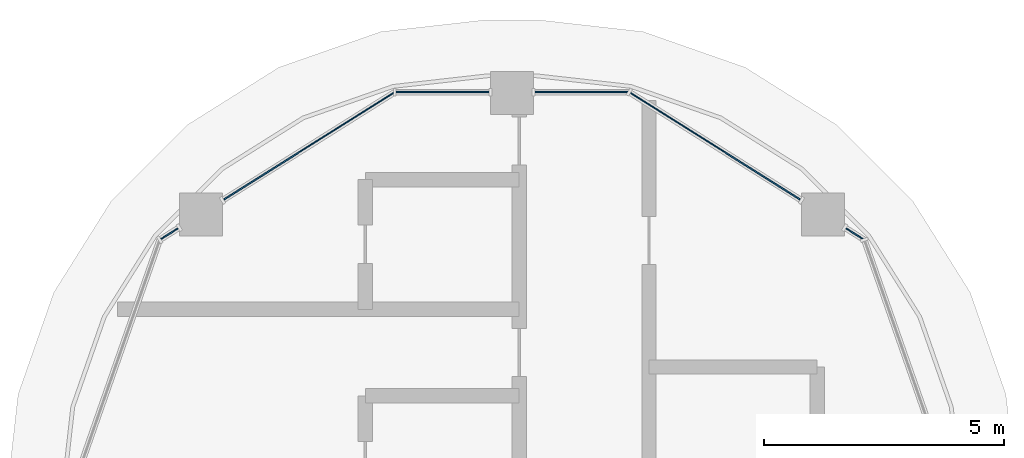
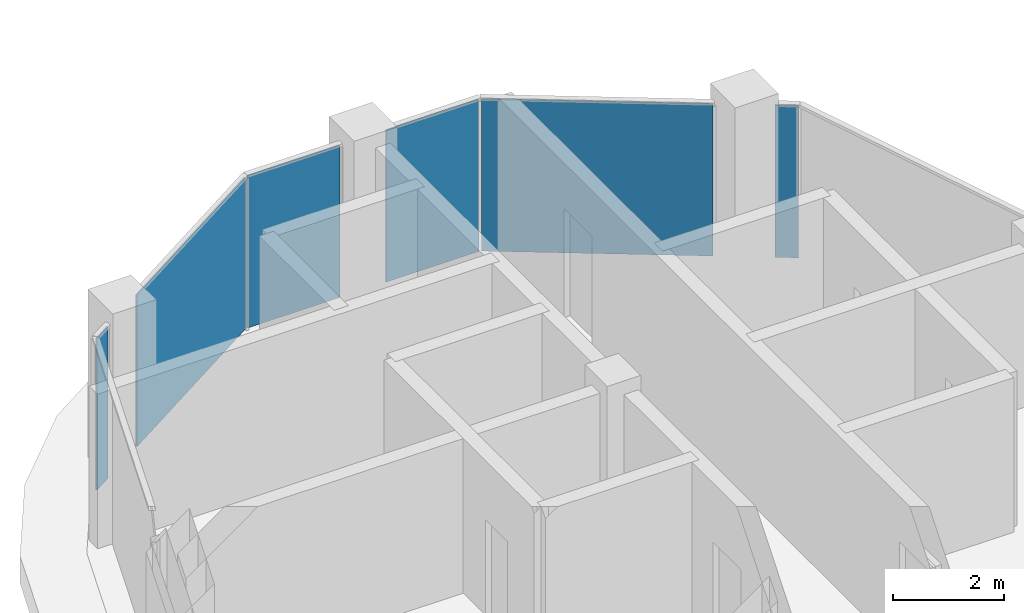
# One storey, part 9 of 20: 6 plates, 4 elements without a shape of their own.
"""IFC4 building model written with IfcOpenShell, lengths in metres."""

import ifcopenshell
import ifcopenshell.guid

model = None  # the IFC model being written
_history = None  # IfcOwnerHistory: only IFC2X3 demands one
_inside = {}  # id of a spatial element -> (the spatial element, [elements in it])
_under = {}  # id of a project, library or spatial element -> (it, [spatial elements below it])
_declared = {}  # id of a project -> (the project, [libraries it declares])
_typed = {}  # id of a type object -> (the type object, [elements of that type])
_made_of = {}  # id of a material, layer set ... -> (it, [elements and type objects made of it])


def new_model(schema):
    """Start an empty IFC model of exactly this schema.

    Asked for "IFC4X3", IfcOpenShell would pick the latest addendum, in which some entities
    have other attributes; the version numbers below select the first issue.
    IFC2X3 requires an IfcOwnerHistory on every rooted entity: one is made here for all.
    """
    global model, _history
    if schema == "IFC4X3":
        model = ifcopenshell.file(schema_version=(4, 3, 0, 0))
    else:
        model = ifcopenshell.file(schema=schema)
    _inside.clear()
    _under.clear()
    _declared.clear()
    _typed.clear()
    _made_of.clear()
    _history = None
    if model.schema == "IFC2X3":
        org = make("IfcOrganization", Name="unknown")
        user = make(
            "IfcPersonAndOrganization",
            ThePerson=make("IfcPerson", FamilyName="unknown"),
            TheOrganization=org,
        )
        app = make(
            "IfcApplication",
            ApplicationDeveloper=org,
            Version="unknown",
            ApplicationFullName="unknown",
            ApplicationIdentifier="unknown",
        )
        _history = make(
            "IfcOwnerHistory",
            OwningUser=user,
            OwningApplication=app,
            ChangeAction="ADDED",
            CreationDate=0,
        )
    return model


def make(cls, **values):
    """One entity of the class cls with the attributes given. An attribute that is None is left unset."""
    return model.create_entity(
        cls, **{name: value for name, value in values.items() if value is not None}
    )


def rooted(cls, **values):
    """An entity with a GlobalId (a new one), such as an element, a storey or a relation."""
    return make(cls, GlobalId=ifcopenshell.guid.new(), OwnerHistory=_history, **values)


def si_unit(unit_type, name, prefix=None):
    """IfcSIUnit, for example si_unit("LENGTHUNIT", "METRE", prefix="MILLI")."""
    return make("IfcSIUnit", UnitType=unit_type, Prefix=prefix, Name=name)


def assignment(units):
    """IfcUnitAssignment: the units of a project."""
    return None if units is None else make("IfcUnitAssignment", Units=units)


def point(xyz):
    """IfcCartesianPoint."""
    return None if xyz is None else make("IfcCartesianPoint", Coordinates=xyz)


def direction(xyz):
    """IfcDirection."""
    return None if xyz is None else make("IfcDirection", DirectionRatios=xyz)


def frame(location, z_axis=None, x_axis=None):
    """IfcAxis2Placement3D, a coordinate frame: its origin and axes. An axis left out is left unset."""
    return make(
        "IfcAxis2Placement3D",
        Location=point(location),
        Axis=direction(z_axis),
        RefDirection=direction(x_axis),
    )


def frame_2d(location, x_axis=None):
    """IfcAxis2Placement2D, a coordinate frame in the plane: its origin and x axis."""
    return make(
        "IfcAxis2Placement2D", Location=point(location), RefDirection=direction(x_axis)
    )


def origin():
    """The frame at (0, 0, 0) with its axes left unset."""
    return frame((0.0, 0.0, 0.0))


def origin_2d():
    """The frame at (0, 0) in the plane with its x axis left unset."""
    return frame_2d((0.0, 0.0))


def place(relative_to, where):
    """IfcLocalPlacement: puts the frame where relative to a parent placement (None: the world)."""
    return make(
        "IfcLocalPlacement", PlacementRelTo=relative_to, RelativePlacement=where
    )


def context(
    kind, dimensions, precision=None, world=None, true_north=None, identifier=None
):
    """IfcGeometricRepresentationContext, for example the 3D "Model" context."""
    return make(
        "IfcGeometricRepresentationContext",
        ContextIdentifier=identifier,
        ContextType=kind,
        CoordinateSpaceDimension=dimensions,
        Precision=precision,
        WorldCoordinateSystem=world,
        TrueNorth=true_north,
    )


def subcontext(parent, identifier, kind, view, scale=None):
    """IfcGeometricRepresentationSubContext, for example "Body" below "Model"."""
    return make(
        "IfcGeometricRepresentationSubContext",
        ContextIdentifier=identifier,
        ContextType=kind,
        ParentContext=parent,
        TargetScale=scale,
        TargetView=view,
    )


def project(units=None, contexts=None):
    """IfcProject with its units and contexts."""
    return rooted(
        "IfcProject",
        Name="project",
        RepresentationContexts=contexts,
        UnitsInContext=assignment(units),
    )


def spatial(cls, under=None, at=None, **own):
    """A site, building, storey or space (cls), placed at a placement, below another one or the project."""
    s = rooted(cls, ObjectPlacement=at, **own)
    if under is not None:
        _under.setdefault(under.id(), (under, []))[1].append(s)
    return s


def profile(cls, at=None, kind="AREA", **sizes):
    """A parametric profile (cls). Its sizes go by their IFC names, for example OverallWidth=200.0."""
    return make(cls, ProfileType=kind, Position=at, **sizes)


def rectangle(**sizes):
    """IfcRectangleProfileDef."""
    return profile("IfcRectangleProfileDef", **sizes)


def extrude(swept, where, along, depth):
    """IfcExtrudedAreaSolid: the profile swept, set in the frame where, extruded along a direction by depth."""
    return make(
        "IfcExtrudedAreaSolid",
        SweptArea=swept,
        Position=where,
        ExtrudedDirection=direction(along),
        Depth=depth,
    )


def shape(context_of_items, identifier, shape_type, items):
    """IfcShapeRepresentation: the items that make up one representation, for example the "Body"."""
    return make(
        "IfcShapeRepresentation",
        ContextOfItems=context_of_items,
        RepresentationIdentifier=identifier,
        RepresentationType=shape_type,
        Items=items,
    )


def material(Name=None, Category=None):
    """IfcMaterial."""
    return make("IfcMaterial", Name=Name, Category=Category)


def layer(
    of_material, thickness, ventilated=None, Name=None, Category=None, Priority=None
):
    """IfcMaterialLayer: one layer of a wall or slab, of a material (None: an air gap)."""
    return make(
        "IfcMaterialLayer",
        Material=of_material,
        LayerThickness=thickness,
        IsVentilated=ventilated,
        Name=Name,
        Category=Category,
        Priority=Priority,
    )


def layer_set(layers, Name=None):
    """IfcMaterialLayerSet."""
    return make("IfcMaterialLayerSet", MaterialLayers=layers, LayerSetName=Name)


def made_of(thing, what):
    """Note that an element or type object is made of a material, layer set ...; save() writes the relation."""
    if what is not None:
        _made_of.setdefault(what.id(), (what, []))[1].append(thing)
    return thing


def type_object(cls, material=None, **own):
    """A type object (cls), such as IfcWallType, which elements share."""
    return made_of(rooted(cls, **own), material)


def element(
    cls,
    number,
    at=None,
    inside=None,
    cuts=None,
    type_object=None,
    material=None,
    context=None,
    identifier="Body",
    shape_type=None,
    held_by="IfcProductDefinitionShape",
    body=None,
    shapes=None,
    **own,
):
    """One element of the class cls, such as IfcWall. Its Tag is "e" and its number.

    at: its placement. inside: the storey or other place that contains it. cuts: it is an
    opening in that element (IfcRelVoidsElement). A single representation is given by context,
    identifier, shape_type and body (its items); several are given by shapes. held_by: the class
    of the entity that holds the representations. save() writes the other relations.
    """
    e = rooted(cls, Tag="e%d" % number, ObjectPlacement=at, **own)
    if body is not None:
        shapes = [shape(context, identifier, shape_type, body)]
    if shapes is not None:
        e.Representation = make(held_by, Representations=shapes)
    if inside is not None:
        _inside.setdefault(inside.id(), (inside, []))[1].append(e)
    if cuts is not None:
        rooted(
            "IfcRelVoidsElement", RelatingBuildingElement=cuts, RelatedOpeningElement=e
        )
    if type_object is not None:
        _typed.setdefault(type_object.id(), (type_object, []))[1].append(e)
    return made_of(e, material)


def aggregate(whole, parts):
    """IfcRelAggregates: a whole, such as a stair, and the parts it consists of."""
    return rooted("IfcRelAggregates", RelatingObject=whole, RelatedObjects=parts)


def save(model, path):
    """Write the relations noted so far, then the file.

    IfcRelAggregates (storeys below a building ...), IfcRelContainedInSpatialStructure (elements
    in a storey), IfcRelDefinesByType, IfcRelAssociatesMaterial and IfcRelDeclares: one each for
    every whole, place, type object, material and project.
    """
    for whole, parts in _under.values():
        aggregate(whole, parts)
    for where, things in _inside.values():
        rooted(
            "IfcRelContainedInSpatialStructure",
            RelatedElements=things,
            RelatingStructure=where,
        )
    for kind, things in _typed.values():
        rooted("IfcRelDefinesByType", RelatedObjects=things, RelatingType=kind)
    for what, things in _made_of.values():
        rooted("IfcRelAssociatesMaterial", RelatedObjects=things, RelatingMaterial=what)
    for by, libraries in _declared.values():
        rooted("IfcRelDeclares", RelatingContext=by, RelatedDefinitions=libraries)
    model.write(path)


model = new_model("IFC4")

# Units and contexts
model_context = context("Model", 3, precision=1e-05, world=origin(), true_north=direction((0.0, 1.0)))
body_context = subcontext(model_context, "Body", "Model", "MODEL_VIEW")
ifc_project = project(units=[si_unit("LENGTHUNIT", "METRE"), si_unit("AREAUNIT", "SQUARE_METRE"), si_unit("VOLUMEUNIT", "CUBIC_METRE"), si_unit("PLANEANGLEUNIT", "RADIAN"), si_unit("MASSUNIT", "GRAM", prefix="KILO")], contexts=[model_context])

# Site, building, storey
site_placement = place(None, origin())
site = spatial("IfcSite", under=ifc_project, at=site_placement, CompositionType="ELEMENT")
building_placement = place(site_placement, origin())
building = spatial("IfcBuilding", under=site, at=building_placement, Name="Ogive Portal Towers", CompositionType="ELEMENT")
storey_placement = place(building_placement, frame((0.0, 0.0, 214.300048828125)))
storey = spatial("IfcBuildingStorey", under=building, at=storey_placement, Name="L53", CompositionType="ELEMENT", Elevation=214.300048828125)

# Curtain wall, plate
ifc_material = material(Name="Glass, clear low-iron insulated glazing", Category="glass")
curtain_wall_type = type_object("IfcCurtainWallType", Name="CW FRONT RIBBON 4500", PredefinedType="NOTDEFINED", material=ifc_material)
curtain_wall_1_placement = place(storey_placement, origin())
curtain_wall_1 = element("IfcCurtainWall", 1, at=curtain_wall_1_placement, inside=storey, type_object=curtain_wall_type, Name="A:L53:f07:cwa~0", PredefinedType="NOTDEFINED")
ifc_layer = layer(ifc_material, 0.028076171875)
ifc_layer_set = layer_set([ifc_layer], Name="CW PANEL IGU 28")
plate_type = type_object("IfcPlateType", Name="CW PANEL IGU 28", PredefinedType="CURTAIN_PANEL", material=ifc_layer_set)
plate_1_placement = place(storey_placement, frame((47.626220703125, 54.573974609375, 0.0), z_axis=(0.0, 0.0, 1.0), x_axis=(-0.846724199227, 0.532032076517, 0.0)))
plate_1 = element("IfcPlate", 2, at=plate_1_placement, type_object=plate_type, Name="panel", PredefinedType="CURTAIN_PANEL", context=body_context, shape_type="SweptSolid", body=[
    extrude(rectangle(XDim=0.420166015625, YDim=0.028076171875, at=origin_2d()), origin(), (0.0, 0.0, 1.0), 3.340087890625),
])
aggregate(curtain_wall_1, [plate_1])

# Curtain wall, plates
curtain_wall_2_placement = place(storey_placement, origin())
curtain_wall_2 = element("IfcCurtainWall", 3, at=curtain_wall_2_placement, inside=storey, type_object=curtain_wall_type, Name="A:L53:f07:cwa~1", PredefinedType="NOTDEFINED")
plate_2_placement = place(storey_placement, frame((44.731201171875, 56.39306640625, 0.0), z_axis=(0.0, 0.0, 1.0), x_axis=(-0.846724199227, 0.532032076517, 0.0)))
plate_2 = element("IfcPlate", 4, at=plate_2_placement, type_object=plate_type, Name="panel", PredefinedType="CURTAIN_PANEL", context=body_context, shape_type="SweptSolid", body=[
    extrude(rectangle(XDim=4.172119140625, YDim=0.028076171875, at=origin_2d()), origin(), (0.0, 0.0, 1.0), 3.340087890625),
])
plate_3_placement = place(storey_placement, frame((41.94482421875, 57.518798828125, 0.0), z_axis=(0.0, 0.0, 1.0), x_axis=(-1.0, 0.0, 0.0)))
plate_3 = element("IfcPlate", 5, at=plate_3_placement, type_object=plate_type, Name="panel", PredefinedType="CURTAIN_PANEL", context=body_context, shape_type="SweptSolid", body=[
    extrude(rectangle(XDim=1.9296875, YDim=0.028076171875, at=origin_2d()), origin(), (0.0, 0.0, 1.0), 3.340087890625),
])
aggregate(curtain_wall_2, [plate_2, plate_3])

curtain_wall_3_placement = place(storey_placement, origin())
curtain_wall_3 = element("IfcCurtainWall", 6, at=curtain_wall_3_placement, inside=storey, type_object=curtain_wall_type, Name="A:L53:f07:cwa~2", PredefinedType="NOTDEFINED")
plate_4_placement = place(storey_placement, frame((39.05517578125, 57.518798828125, 0.0), z_axis=(0.0, 0.0, 1.0), x_axis=(-1.0, 0.0, 0.0)))
plate_4 = element("IfcPlate", 7, at=plate_4_placement, type_object=plate_type, Name="panel", PredefinedType="CURTAIN_PANEL", context=body_context, shape_type="SweptSolid", body=[
    extrude(rectangle(XDim=1.9296875, YDim=0.028076171875, at=origin_2d()), origin(), (0.0, 0.0, 1.0), 3.340087890625),
])
plate_5_placement = place(storey_placement, frame((36.268798828125, 56.39306640625, 0.0), z_axis=(0.0, 0.0, 1.0), x_axis=(-0.846724199227, -0.532032076517, 0.0)))
plate_5 = element("IfcPlate", 8, at=plate_5_placement, type_object=plate_type, Name="panel", PredefinedType="CURTAIN_PANEL", context=body_context, shape_type="SweptSolid", body=[
    extrude(rectangle(XDim=4.172119140625, YDim=0.028076171875, at=origin_2d()), origin(), (0.0, 0.0, 1.0), 3.340087890625),
])
aggregate(curtain_wall_3, [plate_4, plate_5])

# Curtain wall, plate
curtain_wall_4_placement = place(storey_placement, origin())
curtain_wall_4 = element("IfcCurtainWall", 9, at=curtain_wall_4_placement, inside=storey, type_object=curtain_wall_type, Name="A:L53:f07:cwa~3", PredefinedType="NOTDEFINED")
plate_6_placement = place(storey_placement, frame((33.373779296875, 54.573974609375, 0.0), z_axis=(0.0, 0.0, 1.0), x_axis=(-0.846724199227, -0.532032076517, 0.0)))
plate_6 = element("IfcPlate", 10, at=plate_6_placement, type_object=plate_type, Name="panel", PredefinedType="CURTAIN_PANEL", context=body_context, shape_type="SweptSolid", body=[
    extrude(rectangle(XDim=0.420166015625, YDim=0.028076171875, at=origin_2d()), origin(), (0.0, 0.0, 1.0), 3.340087890625),
])
aggregate(curtain_wall_4, [plate_6])

save(model, "model.ifc")
